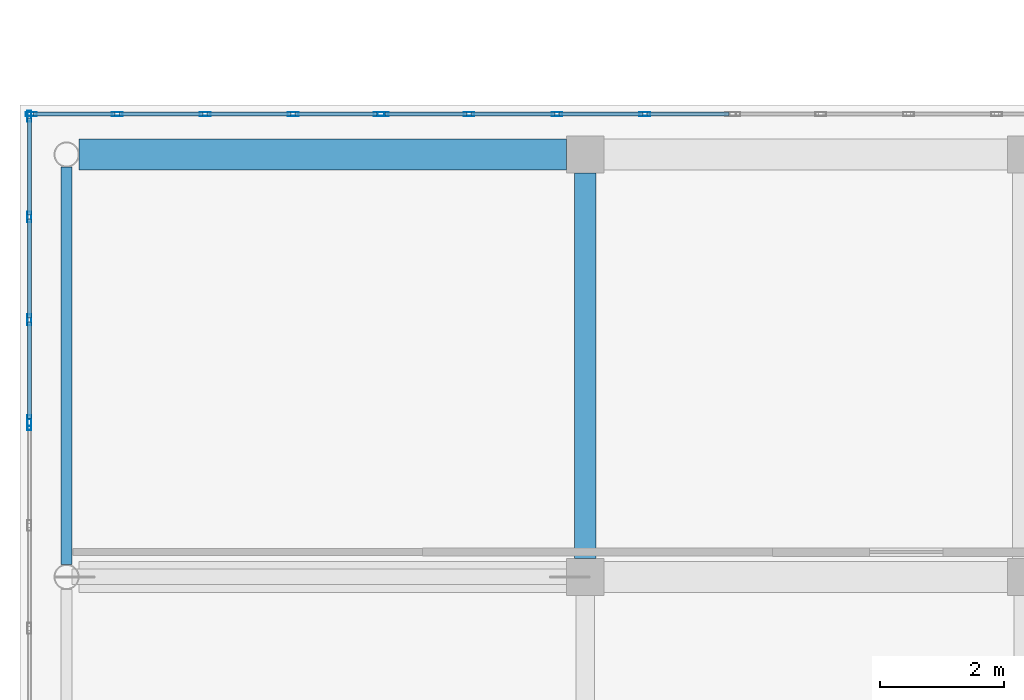
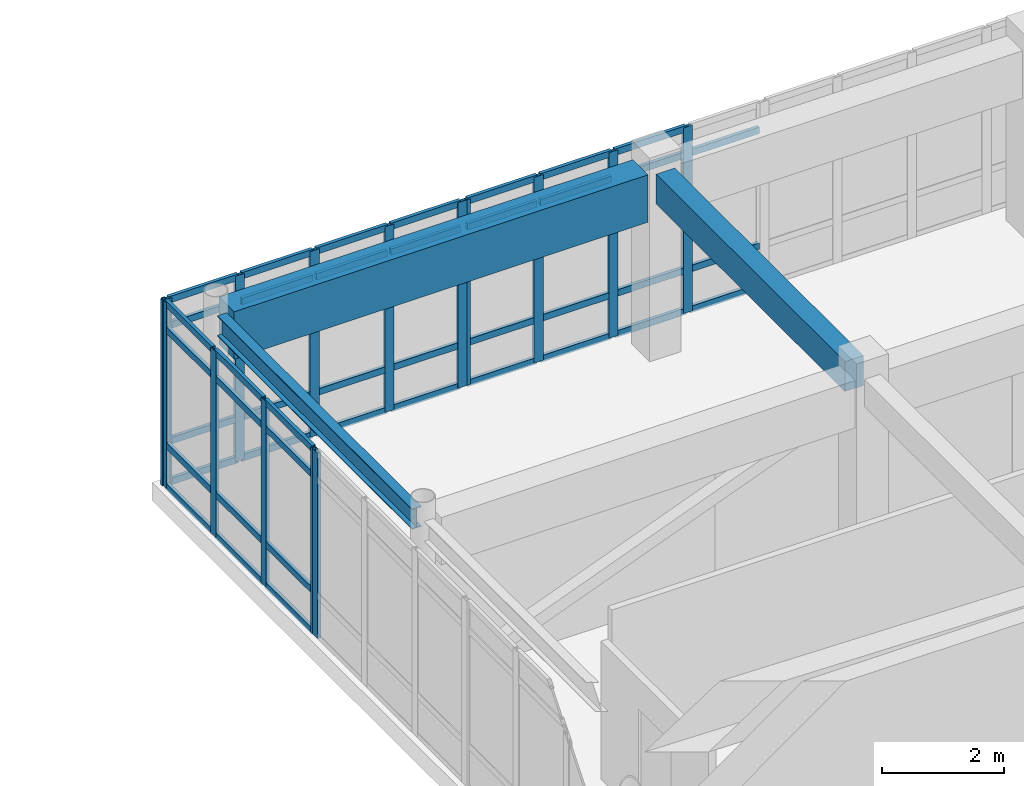
# One storey, part 8 of 52: 57 members, 3 beams, 4 elements without a shape of their own.
"""IFC4 building model written with IfcOpenShell, lengths in metres."""

from ifc_helpers import new_model, si_unit, direction, frame, origin, origin_2d, place, context, subcontext, project, spatial, rectangle, hollow_rectangle, i_section, extrude, material, layer, layer_set, material_profile, profile_set, type_object, element, aggregate, save


model = new_model("IFC4")

# Units and contexts
model_context = context("Model", 3, precision=1e-05, world=origin(), true_north=direction((0.0, 1.0)))
body_context = subcontext(model_context, "Body", "Model", "MODEL_VIEW")
ifc_project = project(units=[si_unit("LENGTHUNIT", "METRE"), si_unit("AREAUNIT", "SQUARE_METRE"), si_unit("VOLUMEUNIT", "CUBIC_METRE"), si_unit("PLANEANGLEUNIT", "RADIAN"), si_unit("MASSUNIT", "GRAM", prefix="KILO")], contexts=[model_context])

# Site, building, storey
site_placement = place(None, origin())
site = spatial("IfcSite", under=ifc_project, at=site_placement, CompositionType="ELEMENT")
building_placement = place(site_placement, origin())
building = spatial("IfcBuilding", under=site, at=building_placement, Name="Valcora Specialist Clinic", CompositionType="ELEMENT")
storey_placement = place(building_placement, frame((0.0, 0.0, 17.679931640625)))
storey = spatial("IfcBuildingStorey", under=building, at=storey_placement, Name="L04", CompositionType="ELEMENT", Elevation=17.679931640625)

# Beams
ifc_material_1 = material(Name="Steel ASTM A992 Grade 50", Category="steel")
ifc_material_profile_1 = material_profile(ifc_material_1, i_section(OverallWidth=0.177978515625, OverallDepth=0.406005859375, WebThickness=0.008056640625, FlangeThickness=0.012939453125, at=origin_2d()), Name="ST-IR-410X180")
ifc_profile_set_1 = profile_set([ifc_material_profile_1], Name="Steel ASTM A992 Grade 50")
beam_type_1 = type_object("IfcBeamType", Name="TY-BM-IR410", PredefinedType="SPANDREL", material=ifc_profile_set_1)
beam_1_placement = place(storey_placement, frame((0.75, 15.403076171875, 3.51318359375), z_axis=(0.0, 1.0, 0.0), x_axis=(-1.0, 0.0, 0.0)))
element("IfcBeam", 1, at=beam_1_placement, inside=storey, type_object=beam_type_1, Name="Beam BM-L04-1096", PredefinedType="SPANDREL", context=body_context, shape_type="SweptSolid", body=[
    extrude(i_section(OverallWidth=0.177978515625, OverallDepth=0.406005859375, WebThickness=0.008056640625, FlangeThickness=0.012939453125, at=origin_2d()), origin(), (0.0, 0.0, 1.0), 6.39404296875),
])
ifc_material_2 = material(Name="Concrete C40/50", Category="concrete")
ifc_material_profile_2 = material_profile(ifc_material_2, rectangle(XDim=0.35009765625, YDim=0.60009765625, at=origin_2d()), Name="RC-BM-350X600")
ifc_profile_set_2 = profile_set([ifc_material_profile_2], Name="Concrete C40/50")
beam_type_2 = type_object("IfcBeamType", Name="TY-BM-RC350X600", PredefinedType="BEAM", material=ifc_profile_set_2)
beam_2_placement = place(storey_placement, frame((9.10009765625, 15.5, 3.420166015625), z_axis=(0.0, 1.0, 0.0), x_axis=(-1.0, 0.0, 0.0)))
element("IfcBeam", 2, at=beam_2_placement, inside=storey, type_object=beam_type_2, Name="Beam BM-L04-1098", PredefinedType="BEAM", context=body_context, shape_type="SweptSolid", body=[
    extrude(rectangle(XDim=0.35009765625, YDim=0.60009765625, at=origin_2d()), origin(), (0.0, 0.0, 1.0), 6.199951171875),
])
ifc_material_profile_3 = material_profile(ifc_material_2, rectangle(XDim=0.5, YDim=0.949951171875, at=origin_2d()), Name="RC-BM-500X950")
ifc_profile_set_3 = profile_set([ifc_material_profile_3], Name="Concrete C40/50")
beam_type_3 = type_object("IfcBeamType", Name="TY-BM-TR500X950", PredefinedType="BEAM", material=ifc_profile_set_3)
beam_3_placement = place(storey_placement, frame((0.952880859375, 22.0, 3.2451171875), z_axis=(1.0, 0.0, 0.0), x_axis=(0.0, 1.0, 0.0)))
element("IfcBeam", 3, at=beam_3_placement, inside=storey, type_object=beam_type_3, Name="Beam BM-L04-1089", PredefinedType="BEAM", context=body_context, shape_type="SweptSolid", body=[
    extrude(rectangle(XDim=0.5, YDim=0.949951171875, at=origin_2d()), origin(), (0.0, 0.0, 1.0), 7.84716796875),
])

# Curtain wall, member
ifc_material_3 = material(Name="Anodized Bronze Aluminium 6063-T6", Category="aluminium")
ifc_layer = layer(ifc_material_3, 0.175048828125)
ifc_layer_set = layer_set([ifc_layer], Name="Anodized Bronze Aluminium 6063-T6")
curtain_wall_type = type_object("IfcCurtainWallType", Name="TY-CW-V5F15", PredefinedType="NOTDEFINED", material=ifc_layer_set)
curtain_wall_1_placement = place(storey_placement, origin())
curtain_wall_1 = element("IfcCurtainWall", 4, at=curtain_wall_1_placement, inside=storey, type_object=curtain_wall_type, Name="Curtain wall CW-L04-165", PredefinedType="NOTDEFINED")
ifc_material_profile_4 = material_profile(ifc_material_3, hollow_rectangle(XDim=0.06494140625, YDim=0.175048828125, WallThickness=0.00390625, at=origin_2d()), Name="AL-MUL-65X175")
ifc_profile_set_4 = profile_set([ifc_material_profile_4], Name="Anodized Bronze Aluminium 6063-T6")
member_type_1 = type_object("IfcMemberType", Name="TY-CWM-65X175", PredefinedType="MULLION", material=ifc_profile_set_4)
member_1_placement = place(storey_placement, frame((0.14990234375, 17.65087890625, 0.0), z_axis=(0.0, 0.0, 1.0), x_axis=(-1.0, 0.0, 0.0)))
member_1 = element("IfcMember", 5, at=member_1_placement, type_object=member_type_1, Name="CW-V5F-15 mullion 4", PredefinedType="MULLION", context=body_context, shape_type="SweptSolid", body=[
    extrude(hollow_rectangle(XDim=0.06494140625, YDim=0.175048828125, WallThickness=0.00390625, at=origin_2d()), origin(), (0.0, 0.0, 1.0), 3.719970703125),
])
aggregate(curtain_wall_1, [member_1])

# Curtain wall, members
curtain_wall_2_placement = place(storey_placement, origin())
curtain_wall_2 = element("IfcCurtainWall", 6, at=curtain_wall_2_placement, inside=storey, type_object=curtain_wall_type, Name="Curtain wall CW-L04-166", PredefinedType="NOTDEFINED")
member_2_placement = place(storey_placement, frame((0.14990234375, 17.7158203125, 0.0), z_axis=(0.0, 0.0, 1.0), x_axis=(-1.0, 0.0, 0.0)))
member_2 = element("IfcMember", 7, at=member_2_placement, type_object=member_type_1, Name="CW-V5F-15 mullion 1", PredefinedType="MULLION", context=body_context, shape_type="SweptSolid", body=[
    extrude(hollow_rectangle(XDim=0.06494140625, YDim=0.175048828125, WallThickness=0.00390625, at=origin_2d()), origin(), (0.0, 0.0, 1.0), 3.719970703125),
])
member_3_placement = place(storey_placement, frame((0.14990234375, 19.3388671875, 0.0), z_axis=(0.0, 0.0, 1.0), x_axis=(-1.0, 0.0, 0.0)))
member_3 = element("IfcMember", 8, at=member_3_placement, type_object=member_type_1, Name="CW-V5F-15 mullion 2", PredefinedType="MULLION", context=body_context, shape_type="SweptSolid", body=[
    extrude(hollow_rectangle(XDim=0.06494140625, YDim=0.175048828125, WallThickness=0.00390625, at=origin_2d()), origin(), (0.0, 0.0, 1.0), 3.719970703125),
])
member_4_placement = place(storey_placement, frame((0.14990234375, 20.994384765625, 0.0), z_axis=(0.0, 0.0, 1.0), x_axis=(-1.0, 0.0, 0.0)))
member_4 = element("IfcMember", 9, at=member_4_placement, type_object=member_type_1, Name="CW-V5F-15 mullion 3", PredefinedType="MULLION", context=body_context, shape_type="SweptSolid", body=[
    extrude(hollow_rectangle(XDim=0.06494140625, YDim=0.175048828125, WallThickness=0.00390625, at=origin_2d()), origin(), (0.0, 0.0, 1.0), 3.719970703125),
])
member_5_placement = place(storey_placement, frame((0.14990234375, 22.617431640625, 0.0), z_axis=(0.0, 0.0, 1.0), x_axis=(-1.0, 0.0, 0.0)))
member_5 = element("IfcMember", 10, at=member_5_placement, type_object=member_type_1, Name="CW-V5F-15 mullion 4", PredefinedType="MULLION", context=body_context, shape_type="SweptSolid", body=[
    extrude(hollow_rectangle(XDim=0.06494140625, YDim=0.175048828125, WallThickness=0.00390625, at=origin_2d()), origin(), (0.0, 0.0, 1.0), 3.719970703125),
])

curtain_wall_3_placement = place(storey_placement, origin())
curtain_wall_3 = element("IfcCurtainWall", 11, at=curtain_wall_3_placement, inside=storey, type_object=curtain_wall_type, Name="Curtain wall CW-L04-167", PredefinedType="NOTDEFINED")
member_6_placement = place(storey_placement, frame((0.1826171875, 22.64990234375, 0.0), z_axis=(0.0, 0.0, 1.0), x_axis=(0.0, 1.0, 0.0)))
member_6 = element("IfcMember", 12, at=member_6_placement, type_object=member_type_1, Name="CW-V5F-15 mullion 1", PredefinedType="MULLION", context=body_context, shape_type="SweptSolid", body=[
    extrude(hollow_rectangle(XDim=0.06494140625, YDim=0.175048828125, WallThickness=0.00390625, at=origin_2d()), origin(), (0.0, 0.0, 1.0), 3.719970703125),
])
member_7_placement = place(storey_placement, frame((1.565673828125, 22.64990234375, 0.0), z_axis=(0.0, 0.0, 1.0), x_axis=(0.0, 1.0, 0.0)))
member_7 = element("IfcMember", 13, at=member_7_placement, type_object=member_type_1, Name="CW-V5F-15 mullion 2", PredefinedType="MULLION", context=body_context, shape_type="SweptSolid", body=[
    extrude(hollow_rectangle(XDim=0.06494140625, YDim=0.175048828125, WallThickness=0.00390625, at=origin_2d()), origin(), (0.0, 0.0, 1.0), 3.719970703125),
])
member_8_placement = place(storey_placement, frame((2.981201171875, 22.64990234375, 0.0), z_axis=(0.0, 0.0, 1.0), x_axis=(0.0, 1.0, 0.0)))
member_8 = element("IfcMember", 14, at=member_8_placement, type_object=member_type_1, Name="CW-V5F-15 mullion 3", PredefinedType="MULLION", context=body_context, shape_type="SweptSolid", body=[
    extrude(hollow_rectangle(XDim=0.06494140625, YDim=0.175048828125, WallThickness=0.00390625, at=origin_2d()), origin(), (0.0, 0.0, 1.0), 3.719970703125),
])
member_9_placement = place(storey_placement, frame((4.39697265625, 22.64990234375, 0.0), z_axis=(0.0, 0.0, 1.0), x_axis=(0.0, 1.0, 0.0)))
member_9 = element("IfcMember", 15, at=member_9_placement, type_object=member_type_1, Name="CW-V5F-15 mullion 4", PredefinedType="MULLION", context=body_context, shape_type="SweptSolid", body=[
    extrude(hollow_rectangle(XDim=0.06494140625, YDim=0.175048828125, WallThickness=0.00390625, at=origin_2d()), origin(), (0.0, 0.0, 1.0), 3.719970703125),
])
member_10_placement = place(storey_placement, frame((5.780029296875, 22.64990234375, 0.0), z_axis=(0.0, 0.0, 1.0), x_axis=(0.0, 1.0, 0.0)))
member_10 = element("IfcMember", 16, at=member_10_placement, type_object=member_type_1, Name="CW-V5F-15 mullion 5", PredefinedType="MULLION", context=body_context, shape_type="SweptSolid", body=[
    extrude(hollow_rectangle(XDim=0.06494140625, YDim=0.175048828125, WallThickness=0.00390625, at=origin_2d()), origin(), (0.0, 0.0, 1.0), 3.719970703125),
])

curtain_wall_4_placement = place(storey_placement, origin())
curtain_wall_4 = element("IfcCurtainWall", 17, at=curtain_wall_4_placement, inside=storey, type_object=curtain_wall_type, Name="Curtain wall CW-L04-168", PredefinedType="NOTDEFINED")
member_11_placement = place(storey_placement, frame((5.844970703125, 22.64990234375, 0.0), z_axis=(0.0, 0.0, 1.0), x_axis=(0.0, 1.0, 0.0)))
member_11 = element("IfcMember", 18, at=member_11_placement, type_object=member_type_1, Name="CW-V5F-15 mullion 1", PredefinedType="MULLION", context=body_context, shape_type="SweptSolid", body=[
    extrude(hollow_rectangle(XDim=0.06494140625, YDim=0.175048828125, WallThickness=0.00390625, at=origin_2d()), origin(), (0.0, 0.0, 1.0), 3.719970703125),
])
member_12_placement = place(storey_placement, frame((7.22802734375, 22.64990234375, 0.0), z_axis=(0.0, 0.0, 1.0), x_axis=(0.0, 1.0, 0.0)))
member_12 = element("IfcMember", 19, at=member_12_placement, type_object=member_type_1, Name="CW-V5F-15 mullion 2", PredefinedType="MULLION", context=body_context, shape_type="SweptSolid", body=[
    extrude(hollow_rectangle(XDim=0.06494140625, YDim=0.175048828125, WallThickness=0.00390625, at=origin_2d()), origin(), (0.0, 0.0, 1.0), 3.719970703125),
])
member_13_placement = place(storey_placement, frame((8.643798828125, 22.64990234375, 0.0), z_axis=(0.0, 0.0, 1.0), x_axis=(0.0, 1.0, 0.0)))
member_13 = element("IfcMember", 20, at=member_13_placement, type_object=member_type_1, Name="CW-V5F-15 mullion 3", PredefinedType="MULLION", context=body_context, shape_type="SweptSolid", body=[
    extrude(hollow_rectangle(XDim=0.06494140625, YDim=0.175048828125, WallThickness=0.00390625, at=origin_2d()), origin(), (0.0, 0.0, 1.0), 3.719970703125),
])
member_14_placement = place(storey_placement, frame((10.059326171875, 22.64990234375, 0.0), z_axis=(0.0, 0.0, 1.0), x_axis=(0.0, 1.0, 0.0)))
member_14 = element("IfcMember", 21, at=member_14_placement, type_object=member_type_1, Name="CW-V5F-15 mullion 4", PredefinedType="MULLION", context=body_context, shape_type="SweptSolid", body=[
    extrude(hollow_rectangle(XDim=0.06494140625, YDim=0.175048828125, WallThickness=0.00390625, at=origin_2d()), origin(), (0.0, 0.0, 1.0), 3.719970703125),
])

# Member
ifc_material_profile_5 = material_profile(ifc_material_3, hollow_rectangle(XDim=0.06494140625, YDim=0.1298828125, WallThickness=0.00390625, at=origin_2d()), Name="AL-TRN-65X130")
ifc_profile_set_5 = profile_set([ifc_material_profile_5], Name="Anodized Bronze Aluminium 6063-T6")
member_type_2 = type_object("IfcMemberType", Name="TY-CWT-65X130", PredefinedType="USERDEFINED", material=ifc_profile_set_5)
member_15_placement = place(storey_placement, frame((0.14990234375, 17.748291015625, 0.032470703125), z_axis=(0.0, 1.0, 0.0), x_axis=(-1.0, 0.0, 0.0)))
member_15 = element("IfcMember", 22, at=member_15_placement, type_object=member_type_2, Name="CW-V5F-15 transom 1.1", ObjectType="TRANSOM", PredefinedType="USERDEFINED", context=body_context, shape_type="SweptSolid", body=[
    extrude(hollow_rectangle(XDim=0.06494140625, YDim=0.1298828125, WallThickness=0.00390625, at=origin_2d()), origin(), (0.0, 0.0, 1.0), 1.55810546875),
])

member_16_placement = place(storey_placement, frame((0.14990234375, 17.748291015625, 0.85009765625), z_axis=(0.0, 1.0, 0.0), x_axis=(-1.0, 0.0, 0.0)))
member_16 = element("IfcMember", 23, at=member_16_placement, type_object=member_type_2, Name="CW-V5F-15 transom 1.2", ObjectType="TRANSOM", PredefinedType="USERDEFINED", context=body_context, shape_type="SweptSolid", body=[
    extrude(hollow_rectangle(XDim=0.06494140625, YDim=0.1298828125, WallThickness=0.00390625, at=origin_2d()), origin(), (0.0, 0.0, 1.0), 1.55810546875),
])

member_17_placement = place(storey_placement, frame((0.14990234375, 17.748291015625, 3.170166015625), z_axis=(0.0, 1.0, 0.0), x_axis=(-1.0, 0.0, 0.0)))
member_17 = element("IfcMember", 24, at=member_17_placement, type_object=member_type_2, Name="CW-V5F-15 transom 1.3", ObjectType="TRANSOM", PredefinedType="USERDEFINED", context=body_context, shape_type="SweptSolid", body=[
    extrude(hollow_rectangle(XDim=0.06494140625, YDim=0.1298828125, WallThickness=0.00390625, at=origin_2d()), origin(), (0.0, 0.0, 1.0), 1.55810546875),
])

member_18_placement = place(storey_placement, frame((0.14990234375, 17.748291015625, 3.6875), z_axis=(0.0, 1.0, 0.0), x_axis=(-1.0, 0.0, 0.0)))
member_18 = element("IfcMember", 25, at=member_18_placement, type_object=member_type_2, Name="CW-V5F-15 transom 1.4", ObjectType="TRANSOM", PredefinedType="USERDEFINED", context=body_context, shape_type="SweptSolid", body=[
    extrude(hollow_rectangle(XDim=0.06494140625, YDim=0.1298828125, WallThickness=0.00390625, at=origin_2d()), origin(), (0.0, 0.0, 1.0), 1.55810546875),
])

member_19_placement = place(storey_placement, frame((0.14990234375, 19.371337890625, 0.032470703125), z_axis=(0.0, 1.0, 0.0), x_axis=(-1.0, 0.0, 0.0)))
member_19 = element("IfcMember", 26, at=member_19_placement, type_object=member_type_2, Name="CW-V5F-15 transom 2.1", ObjectType="TRANSOM", PredefinedType="USERDEFINED", context=body_context, shape_type="SweptSolid", body=[
    extrude(hollow_rectangle(XDim=0.06494140625, YDim=0.1298828125, WallThickness=0.00390625, at=origin_2d()), origin(), (0.0, 0.0, 1.0), 1.590576171875),
])

member_20_placement = place(storey_placement, frame((0.14990234375, 19.371337890625, 0.85009765625), z_axis=(0.0, 1.0, 0.0), x_axis=(-1.0, 0.0, 0.0)))
member_20 = element("IfcMember", 27, at=member_20_placement, type_object=member_type_2, Name="CW-V5F-15 transom 2.2", ObjectType="TRANSOM", PredefinedType="USERDEFINED", context=body_context, shape_type="SweptSolid", body=[
    extrude(hollow_rectangle(XDim=0.06494140625, YDim=0.1298828125, WallThickness=0.00390625, at=origin_2d()), origin(), (0.0, 0.0, 1.0), 1.590576171875),
])

member_21_placement = place(storey_placement, frame((0.14990234375, 19.371337890625, 3.170166015625), z_axis=(0.0, 1.0, 0.0), x_axis=(-1.0, 0.0, 0.0)))
member_21 = element("IfcMember", 28, at=member_21_placement, type_object=member_type_2, Name="CW-V5F-15 transom 2.3", ObjectType="TRANSOM", PredefinedType="USERDEFINED", context=body_context, shape_type="SweptSolid", body=[
    extrude(hollow_rectangle(XDim=0.06494140625, YDim=0.1298828125, WallThickness=0.00390625, at=origin_2d()), origin(), (0.0, 0.0, 1.0), 1.590576171875),
])

member_22_placement = place(storey_placement, frame((0.14990234375, 19.371337890625, 3.6875), z_axis=(0.0, 1.0, 0.0), x_axis=(-1.0, 0.0, 0.0)))
member_22 = element("IfcMember", 29, at=member_22_placement, type_object=member_type_2, Name="CW-V5F-15 transom 2.4", ObjectType="TRANSOM", PredefinedType="USERDEFINED", context=body_context, shape_type="SweptSolid", body=[
    extrude(hollow_rectangle(XDim=0.06494140625, YDim=0.1298828125, WallThickness=0.00390625, at=origin_2d()), origin(), (0.0, 0.0, 1.0), 1.590576171875),
])

member_23_placement = place(storey_placement, frame((0.14990234375, 21.02685546875, 0.032470703125), z_axis=(0.0, 1.0, 0.0), x_axis=(-1.0, 0.0, 0.0)))
member_23 = element("IfcMember", 30, at=member_23_placement, type_object=member_type_2, Name="CW-V5F-15 transom 3.1", ObjectType="TRANSOM", PredefinedType="USERDEFINED", context=body_context, shape_type="SweptSolid", body=[
    extrude(hollow_rectangle(XDim=0.06494140625, YDim=0.1298828125, WallThickness=0.00390625, at=origin_2d()), origin(), (0.0, 0.0, 1.0), 1.55810546875),
])

member_24_placement = place(storey_placement, frame((0.14990234375, 21.02685546875, 0.85009765625), z_axis=(0.0, 1.0, 0.0), x_axis=(-1.0, 0.0, 0.0)))
member_24 = element("IfcMember", 31, at=member_24_placement, type_object=member_type_2, Name="CW-V5F-15 transom 3.2", ObjectType="TRANSOM", PredefinedType="USERDEFINED", context=body_context, shape_type="SweptSolid", body=[
    extrude(hollow_rectangle(XDim=0.06494140625, YDim=0.1298828125, WallThickness=0.00390625, at=origin_2d()), origin(), (0.0, 0.0, 1.0), 1.55810546875),
])

member_25_placement = place(storey_placement, frame((0.14990234375, 21.02685546875, 3.170166015625), z_axis=(0.0, 1.0, 0.0), x_axis=(-1.0, 0.0, 0.0)))
member_25 = element("IfcMember", 32, at=member_25_placement, type_object=member_type_2, Name="CW-V5F-15 transom 3.3", ObjectType="TRANSOM", PredefinedType="USERDEFINED", context=body_context, shape_type="SweptSolid", body=[
    extrude(hollow_rectangle(XDim=0.06494140625, YDim=0.1298828125, WallThickness=0.00390625, at=origin_2d()), origin(), (0.0, 0.0, 1.0), 1.55810546875),
])

member_26_placement = place(storey_placement, frame((0.14990234375, 21.02685546875, 3.6875), z_axis=(0.0, 1.0, 0.0), x_axis=(-1.0, 0.0, 0.0)))
member_26 = element("IfcMember", 33, at=member_26_placement, type_object=member_type_2, Name="CW-V5F-15 transom 3.4", ObjectType="TRANSOM", PredefinedType="USERDEFINED", context=body_context, shape_type="SweptSolid", body=[
    extrude(hollow_rectangle(XDim=0.06494140625, YDim=0.1298828125, WallThickness=0.00390625, at=origin_2d()), origin(), (0.0, 0.0, 1.0), 1.55810546875),
])

aggregate(curtain_wall_2, [member_2, member_3, member_4, member_5, member_15, member_16, member_17, member_18, member_19, member_20, member_21, member_22, member_23, member_24, member_25, member_26])

member_27_placement = place(storey_placement, frame((0.215087890625, 22.64990234375, 0.032470703125), z_axis=(1.0, 0.0, 0.0), x_axis=(0.0, 1.0, 0.0)))
member_27 = element("IfcMember", 34, at=member_27_placement, type_object=member_type_2, Name="CW-V5F-15 transom 1.1", ObjectType="TRANSOM", PredefinedType="USERDEFINED", context=body_context, shape_type="SweptSolid", body=[
    extrude(hollow_rectangle(XDim=0.06494140625, YDim=0.1298828125, WallThickness=0.00390625, at=origin_2d()), origin(), (0.0, 0.0, 1.0), 1.318115234375),
])

member_28_placement = place(storey_placement, frame((0.215087890625, 22.64990234375, 0.85009765625), z_axis=(1.0, 0.0, 0.0), x_axis=(0.0, 1.0, 0.0)))
member_28 = element("IfcMember", 35, at=member_28_placement, type_object=member_type_2, Name="CW-V5F-15 transom 1.2", ObjectType="TRANSOM", PredefinedType="USERDEFINED", context=body_context, shape_type="SweptSolid", body=[
    extrude(hollow_rectangle(XDim=0.06494140625, YDim=0.1298828125, WallThickness=0.00390625, at=origin_2d()), origin(), (0.0, 0.0, 1.0), 1.318115234375),
])

member_29_placement = place(storey_placement, frame((0.215087890625, 22.64990234375, 3.170166015625), z_axis=(1.0, 0.0, 0.0), x_axis=(0.0, 1.0, 0.0)))
member_29 = element("IfcMember", 36, at=member_29_placement, type_object=member_type_2, Name="CW-V5F-15 transom 1.3", ObjectType="TRANSOM", PredefinedType="USERDEFINED", context=body_context, shape_type="SweptSolid", body=[
    extrude(hollow_rectangle(XDim=0.06494140625, YDim=0.1298828125, WallThickness=0.00390625, at=origin_2d()), origin(), (0.0, 0.0, 1.0), 1.318115234375),
])

member_30_placement = place(storey_placement, frame((0.215087890625, 22.64990234375, 3.6875), z_axis=(1.0, 0.0, 0.0), x_axis=(0.0, 1.0, 0.0)))
member_30 = element("IfcMember", 37, at=member_30_placement, type_object=member_type_2, Name="CW-V5F-15 transom 1.4", ObjectType="TRANSOM", PredefinedType="USERDEFINED", context=body_context, shape_type="SweptSolid", body=[
    extrude(hollow_rectangle(XDim=0.06494140625, YDim=0.1298828125, WallThickness=0.00390625, at=origin_2d()), origin(), (0.0, 0.0, 1.0), 1.318115234375),
])

member_31_placement = place(storey_placement, frame((1.59814453125, 22.64990234375, 0.032470703125), z_axis=(1.0, 0.0, 0.0), x_axis=(0.0, 1.0, 0.0)))
member_31 = element("IfcMember", 38, at=member_31_placement, type_object=member_type_2, Name="CW-V5F-15 transom 2.1", ObjectType="TRANSOM", PredefinedType="USERDEFINED", context=body_context, shape_type="SweptSolid", body=[
    extrude(hollow_rectangle(XDim=0.06494140625, YDim=0.1298828125, WallThickness=0.00390625, at=origin_2d()), origin(), (0.0, 0.0, 1.0), 1.3505859375),
])

member_32_placement = place(storey_placement, frame((1.59814453125, 22.64990234375, 0.85009765625), z_axis=(1.0, 0.0, 0.0), x_axis=(0.0, 1.0, 0.0)))
member_32 = element("IfcMember", 39, at=member_32_placement, type_object=member_type_2, Name="CW-V5F-15 transom 2.2", ObjectType="TRANSOM", PredefinedType="USERDEFINED", context=body_context, shape_type="SweptSolid", body=[
    extrude(hollow_rectangle(XDim=0.06494140625, YDim=0.1298828125, WallThickness=0.00390625, at=origin_2d()), origin(), (0.0, 0.0, 1.0), 1.3505859375),
])

member_33_placement = place(storey_placement, frame((1.59814453125, 22.64990234375, 3.170166015625), z_axis=(1.0, 0.0, 0.0), x_axis=(0.0, 1.0, 0.0)))
member_33 = element("IfcMember", 40, at=member_33_placement, type_object=member_type_2, Name="CW-V5F-15 transom 2.3", ObjectType="TRANSOM", PredefinedType="USERDEFINED", context=body_context, shape_type="SweptSolid", body=[
    extrude(hollow_rectangle(XDim=0.06494140625, YDim=0.1298828125, WallThickness=0.00390625, at=origin_2d()), origin(), (0.0, 0.0, 1.0), 1.3505859375),
])

member_34_placement = place(storey_placement, frame((1.59814453125, 22.64990234375, 3.6875), z_axis=(1.0, 0.0, 0.0), x_axis=(0.0, 1.0, 0.0)))
member_34 = element("IfcMember", 41, at=member_34_placement, type_object=member_type_2, Name="CW-V5F-15 transom 2.4", ObjectType="TRANSOM", PredefinedType="USERDEFINED", context=body_context, shape_type="SweptSolid", body=[
    extrude(hollow_rectangle(XDim=0.06494140625, YDim=0.1298828125, WallThickness=0.00390625, at=origin_2d()), origin(), (0.0, 0.0, 1.0), 1.3505859375),
])

member_35_placement = place(storey_placement, frame((3.013671875, 22.64990234375, 0.032470703125), z_axis=(1.0, 0.0, 0.0), x_axis=(0.0, 1.0, 0.0)))
member_35 = element("IfcMember", 42, at=member_35_placement, type_object=member_type_2, Name="CW-V5F-15 transom 3.1", ObjectType="TRANSOM", PredefinedType="USERDEFINED", context=body_context, shape_type="SweptSolid", body=[
    extrude(hollow_rectangle(XDim=0.06494140625, YDim=0.1298828125, WallThickness=0.00390625, at=origin_2d()), origin(), (0.0, 0.0, 1.0), 1.3505859375),
])

member_36_placement = place(storey_placement, frame((3.013671875, 22.64990234375, 0.85009765625), z_axis=(1.0, 0.0, 0.0), x_axis=(0.0, 1.0, 0.0)))
member_36 = element("IfcMember", 43, at=member_36_placement, type_object=member_type_2, Name="CW-V5F-15 transom 3.2", ObjectType="TRANSOM", PredefinedType="USERDEFINED", context=body_context, shape_type="SweptSolid", body=[
    extrude(hollow_rectangle(XDim=0.06494140625, YDim=0.1298828125, WallThickness=0.00390625, at=origin_2d()), origin(), (0.0, 0.0, 1.0), 1.3505859375),
])

member_37_placement = place(storey_placement, frame((3.013671875, 22.64990234375, 3.170166015625), z_axis=(1.0, 0.0, 0.0), x_axis=(0.0, 1.0, 0.0)))
member_37 = element("IfcMember", 44, at=member_37_placement, type_object=member_type_2, Name="CW-V5F-15 transom 3.3", ObjectType="TRANSOM", PredefinedType="USERDEFINED", context=body_context, shape_type="SweptSolid", body=[
    extrude(hollow_rectangle(XDim=0.06494140625, YDim=0.1298828125, WallThickness=0.00390625, at=origin_2d()), origin(), (0.0, 0.0, 1.0), 1.3505859375),
])

member_38_placement = place(storey_placement, frame((3.013671875, 22.64990234375, 3.6875), z_axis=(1.0, 0.0, 0.0), x_axis=(0.0, 1.0, 0.0)))
member_38 = element("IfcMember", 45, at=member_38_placement, type_object=member_type_2, Name="CW-V5F-15 transom 3.4", ObjectType="TRANSOM", PredefinedType="USERDEFINED", context=body_context, shape_type="SweptSolid", body=[
    extrude(hollow_rectangle(XDim=0.06494140625, YDim=0.1298828125, WallThickness=0.00390625, at=origin_2d()), origin(), (0.0, 0.0, 1.0), 1.3505859375),
])

member_39_placement = place(storey_placement, frame((4.429443359375, 22.64990234375, 0.032470703125), z_axis=(1.0, 0.0, 0.0), x_axis=(0.0, 1.0, 0.0)))
member_39 = element("IfcMember", 46, at=member_39_placement, type_object=member_type_2, Name="CW-V5F-15 transom 4.1", ObjectType="TRANSOM", PredefinedType="USERDEFINED", context=body_context, shape_type="SweptSolid", body=[
    extrude(hollow_rectangle(XDim=0.06494140625, YDim=0.1298828125, WallThickness=0.00390625, at=origin_2d()), origin(), (0.0, 0.0, 1.0), 1.318115234375),
])

member_40_placement = place(storey_placement, frame((4.429443359375, 22.64990234375, 0.85009765625), z_axis=(1.0, 0.0, 0.0), x_axis=(0.0, 1.0, 0.0)))
member_40 = element("IfcMember", 47, at=member_40_placement, type_object=member_type_2, Name="CW-V5F-15 transom 4.2", ObjectType="TRANSOM", PredefinedType="USERDEFINED", context=body_context, shape_type="SweptSolid", body=[
    extrude(hollow_rectangle(XDim=0.06494140625, YDim=0.1298828125, WallThickness=0.00390625, at=origin_2d()), origin(), (0.0, 0.0, 1.0), 1.318115234375),
])

member_41_placement = place(storey_placement, frame((4.429443359375, 22.64990234375, 3.170166015625), z_axis=(1.0, 0.0, 0.0), x_axis=(0.0, 1.0, 0.0)))
member_41 = element("IfcMember", 48, at=member_41_placement, type_object=member_type_2, Name="CW-V5F-15 transom 4.3", ObjectType="TRANSOM", PredefinedType="USERDEFINED", context=body_context, shape_type="SweptSolid", body=[
    extrude(hollow_rectangle(XDim=0.06494140625, YDim=0.1298828125, WallThickness=0.00390625, at=origin_2d()), origin(), (0.0, 0.0, 1.0), 1.318115234375),
])

member_42_placement = place(storey_placement, frame((4.429443359375, 22.64990234375, 3.6875), z_axis=(1.0, 0.0, 0.0), x_axis=(0.0, 1.0, 0.0)))
member_42 = element("IfcMember", 49, at=member_42_placement, type_object=member_type_2, Name="CW-V5F-15 transom 4.4", ObjectType="TRANSOM", PredefinedType="USERDEFINED", context=body_context, shape_type="SweptSolid", body=[
    extrude(hollow_rectangle(XDim=0.06494140625, YDim=0.1298828125, WallThickness=0.00390625, at=origin_2d()), origin(), (0.0, 0.0, 1.0), 1.318115234375),
])

aggregate(curtain_wall_3, [member_6, member_7, member_8, member_9, member_10, member_27, member_28, member_29, member_30, member_31, member_32, member_33, member_34, member_35, member_36, member_37, member_38, member_39, member_40, member_41, member_42])

member_43_placement = place(storey_placement, frame((5.87744140625, 22.64990234375, 0.032470703125), z_axis=(1.0, 0.0, 0.0), x_axis=(0.0, 1.0, 0.0)))
member_43 = element("IfcMember", 50, at=member_43_placement, type_object=member_type_2, Name="CW-V5F-15 transom 1.1", ObjectType="TRANSOM", PredefinedType="USERDEFINED", context=body_context, shape_type="SweptSolid", body=[
    extrude(hollow_rectangle(XDim=0.06494140625, YDim=0.1298828125, WallThickness=0.00390625, at=origin_2d()), origin(), (0.0, 0.0, 1.0), 1.318115234375),
])

member_44_placement = place(storey_placement, frame((5.87744140625, 22.64990234375, 0.85009765625), z_axis=(1.0, 0.0, 0.0), x_axis=(0.0, 1.0, 0.0)))
member_44 = element("IfcMember", 51, at=member_44_placement, type_object=member_type_2, Name="CW-V5F-15 transom 1.2", ObjectType="TRANSOM", PredefinedType="USERDEFINED", context=body_context, shape_type="SweptSolid", body=[
    extrude(hollow_rectangle(XDim=0.06494140625, YDim=0.1298828125, WallThickness=0.00390625, at=origin_2d()), origin(), (0.0, 0.0, 1.0), 1.318115234375),
])

member_45_placement = place(storey_placement, frame((5.87744140625, 22.64990234375, 3.170166015625), z_axis=(1.0, 0.0, 0.0), x_axis=(0.0, 1.0, 0.0)))
member_45 = element("IfcMember", 52, at=member_45_placement, type_object=member_type_2, Name="CW-V5F-15 transom 1.3", ObjectType="TRANSOM", PredefinedType="USERDEFINED", context=body_context, shape_type="SweptSolid", body=[
    extrude(hollow_rectangle(XDim=0.06494140625, YDim=0.1298828125, WallThickness=0.00390625, at=origin_2d()), origin(), (0.0, 0.0, 1.0), 1.318115234375),
])

member_46_placement = place(storey_placement, frame((5.87744140625, 22.64990234375, 3.6875), z_axis=(1.0, 0.0, 0.0), x_axis=(0.0, 1.0, 0.0)))
member_46 = element("IfcMember", 53, at=member_46_placement, type_object=member_type_2, Name="CW-V5F-15 transom 1.4", ObjectType="TRANSOM", PredefinedType="USERDEFINED", context=body_context, shape_type="SweptSolid", body=[
    extrude(hollow_rectangle(XDim=0.06494140625, YDim=0.1298828125, WallThickness=0.00390625, at=origin_2d()), origin(), (0.0, 0.0, 1.0), 1.318115234375),
])

member_47_placement = place(storey_placement, frame((7.2607421875, 22.64990234375, 0.032470703125), z_axis=(1.0, 0.0, 0.0), x_axis=(0.0, 1.0, 0.0)))
member_47 = element("IfcMember", 54, at=member_47_placement, type_object=member_type_2, Name="CW-V5F-15 transom 2.1", ObjectType="TRANSOM", PredefinedType="USERDEFINED", context=body_context, shape_type="SweptSolid", body=[
    extrude(hollow_rectangle(XDim=0.06494140625, YDim=0.1298828125, WallThickness=0.00390625, at=origin_2d()), origin(), (0.0, 0.0, 1.0), 1.3505859375),
])

member_48_placement = place(storey_placement, frame((7.2607421875, 22.64990234375, 0.85009765625), z_axis=(1.0, 0.0, 0.0), x_axis=(0.0, 1.0, 0.0)))
member_48 = element("IfcMember", 55, at=member_48_placement, type_object=member_type_2, Name="CW-V5F-15 transom 2.2", ObjectType="TRANSOM", PredefinedType="USERDEFINED", context=body_context, shape_type="SweptSolid", body=[
    extrude(hollow_rectangle(XDim=0.06494140625, YDim=0.1298828125, WallThickness=0.00390625, at=origin_2d()), origin(), (0.0, 0.0, 1.0), 1.3505859375),
])

member_49_placement = place(storey_placement, frame((7.2607421875, 22.64990234375, 3.170166015625), z_axis=(1.0, 0.0, 0.0), x_axis=(0.0, 1.0, 0.0)))
member_49 = element("IfcMember", 56, at=member_49_placement, type_object=member_type_2, Name="CW-V5F-15 transom 2.3", ObjectType="TRANSOM", PredefinedType="USERDEFINED", context=body_context, shape_type="SweptSolid", body=[
    extrude(hollow_rectangle(XDim=0.06494140625, YDim=0.1298828125, WallThickness=0.00390625, at=origin_2d()), origin(), (0.0, 0.0, 1.0), 1.3505859375),
])

member_50_placement = place(storey_placement, frame((7.2607421875, 22.64990234375, 3.6875), z_axis=(1.0, 0.0, 0.0), x_axis=(0.0, 1.0, 0.0)))
member_50 = element("IfcMember", 57, at=member_50_placement, type_object=member_type_2, Name="CW-V5F-15 transom 2.4", ObjectType="TRANSOM", PredefinedType="USERDEFINED", context=body_context, shape_type="SweptSolid", body=[
    extrude(hollow_rectangle(XDim=0.06494140625, YDim=0.1298828125, WallThickness=0.00390625, at=origin_2d()), origin(), (0.0, 0.0, 1.0), 1.3505859375),
])

member_51_placement = place(storey_placement, frame((8.67626953125, 22.64990234375, 0.032470703125), z_axis=(1.0, 0.0, 0.0), x_axis=(0.0, 1.0, 0.0)))
member_51 = element("IfcMember", 58, at=member_51_placement, type_object=member_type_2, Name="CW-V5F-15 transom 3.1", ObjectType="TRANSOM", PredefinedType="USERDEFINED", context=body_context, shape_type="SweptSolid", body=[
    extrude(hollow_rectangle(XDim=0.06494140625, YDim=0.1298828125, WallThickness=0.00390625, at=origin_2d()), origin(), (0.0, 0.0, 1.0), 1.3505859375),
])

member_52_placement = place(storey_placement, frame((8.67626953125, 22.64990234375, 0.85009765625), z_axis=(1.0, 0.0, 0.0), x_axis=(0.0, 1.0, 0.0)))
member_52 = element("IfcMember", 59, at=member_52_placement, type_object=member_type_2, Name="CW-V5F-15 transom 3.2", ObjectType="TRANSOM", PredefinedType="USERDEFINED", context=body_context, shape_type="SweptSolid", body=[
    extrude(hollow_rectangle(XDim=0.06494140625, YDim=0.1298828125, WallThickness=0.00390625, at=origin_2d()), origin(), (0.0, 0.0, 1.0), 1.3505859375),
])

member_53_placement = place(storey_placement, frame((8.67626953125, 22.64990234375, 3.170166015625), z_axis=(1.0, 0.0, 0.0), x_axis=(0.0, 1.0, 0.0)))
member_53 = element("IfcMember", 60, at=member_53_placement, type_object=member_type_2, Name="CW-V5F-15 transom 3.3", ObjectType="TRANSOM", PredefinedType="USERDEFINED", context=body_context, shape_type="SweptSolid", body=[
    extrude(hollow_rectangle(XDim=0.06494140625, YDim=0.1298828125, WallThickness=0.00390625, at=origin_2d()), origin(), (0.0, 0.0, 1.0), 1.3505859375),
])

member_54_placement = place(storey_placement, frame((8.67626953125, 22.64990234375, 3.6875), z_axis=(1.0, 0.0, 0.0), x_axis=(0.0, 1.0, 0.0)))
member_54 = element("IfcMember", 61, at=member_54_placement, type_object=member_type_2, Name="CW-V5F-15 transom 3.4", ObjectType="TRANSOM", PredefinedType="USERDEFINED", context=body_context, shape_type="SweptSolid", body=[
    extrude(hollow_rectangle(XDim=0.06494140625, YDim=0.1298828125, WallThickness=0.00390625, at=origin_2d()), origin(), (0.0, 0.0, 1.0), 1.3505859375),
])

member_55_placement = place(storey_placement, frame((10.091796875, 22.64990234375, 0.032470703125), z_axis=(1.0, 0.0, 0.0), x_axis=(0.0, 1.0, 0.0)))
member_55 = element("IfcMember", 62, at=member_55_placement, type_object=member_type_2, Name="CW-V5F-15 transom 4.1", ObjectType="TRANSOM", PredefinedType="USERDEFINED", context=body_context, shape_type="SweptSolid", body=[
    extrude(hollow_rectangle(XDim=0.06494140625, YDim=0.1298828125, WallThickness=0.00390625, at=origin_2d()), origin(), (0.0, 0.0, 1.0), 1.318115234375),
])

member_56_placement = place(storey_placement, frame((10.091796875, 22.64990234375, 0.85009765625), z_axis=(1.0, 0.0, 0.0), x_axis=(0.0, 1.0, 0.0)))
member_56 = element("IfcMember", 63, at=member_56_placement, type_object=member_type_2, Name="CW-V5F-15 transom 4.2", ObjectType="TRANSOM", PredefinedType="USERDEFINED", context=body_context, shape_type="SweptSolid", body=[
    extrude(hollow_rectangle(XDim=0.06494140625, YDim=0.1298828125, WallThickness=0.00390625, at=origin_2d()), origin(), (0.0, 0.0, 1.0), 1.318115234375),
])

member_57_placement = place(storey_placement, frame((10.091796875, 22.64990234375, 3.170166015625), z_axis=(1.0, 0.0, 0.0), x_axis=(0.0, 1.0, 0.0)))
member_57 = element("IfcMember", 64, at=member_57_placement, type_object=member_type_2, Name="CW-V5F-15 transom 4.3", ObjectType="TRANSOM", PredefinedType="USERDEFINED", context=body_context, shape_type="SweptSolid", body=[
    extrude(hollow_rectangle(XDim=0.06494140625, YDim=0.1298828125, WallThickness=0.00390625, at=origin_2d()), origin(), (0.0, 0.0, 1.0), 1.318115234375),
])

aggregate(curtain_wall_4, [member_11, member_12, member_13, member_14, member_43, member_44, member_45, member_46, member_47, member_48, member_49, member_50, member_51, member_52, member_53, member_54, member_55, member_56, member_57])

save(model, "model.ifc")
